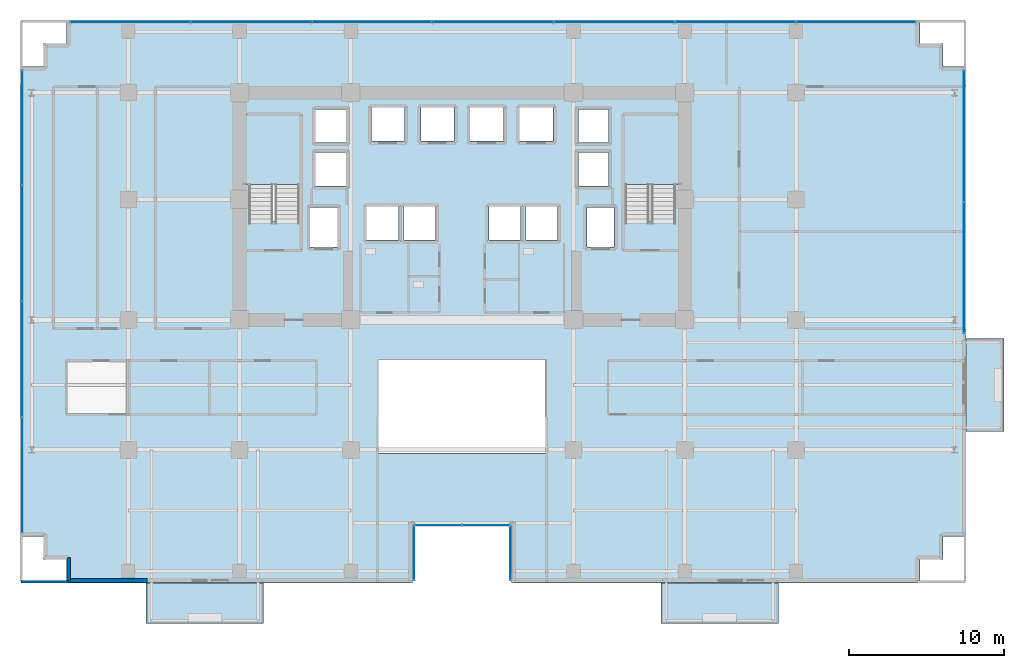
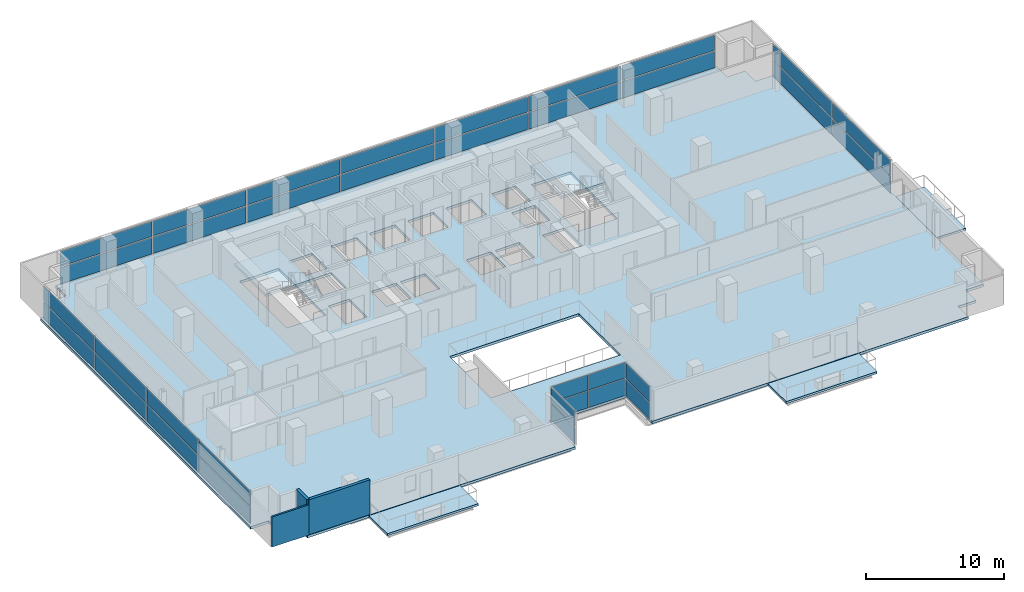
# One storey, part 18 of 26: 34 plates, 6 slabs, 3 walls, 8 elements without a shape of their own.
"""IFC4 building model written with IfcOpenShell, lengths in metres."""

from ifc_helpers import new_model, si_unit, direction, frame, frame_2d, origin, origin_2d, place, context, subcontext, project, spatial, polyline, rectangle, outline, extrude, source, transform, mapped, material, layer, layer_set, type_object, element, aggregate, save


model = new_model("IFC4")

# Units and contexts
model_context = context("Model", 3, precision=1e-05, world=origin(), true_north=direction((0.0, 1.0)))
body_context = subcontext(model_context, "Body", "Model", "MODEL_VIEW")
ifc_project = project(units=[si_unit("LENGTHUNIT", "METRE"), si_unit("AREAUNIT", "SQUARE_METRE"), si_unit("VOLUMEUNIT", "CUBIC_METRE"), si_unit("PLANEANGLEUNIT", "RADIAN"), si_unit("MASSUNIT", "GRAM", prefix="KILO")], contexts=[model_context])

# Site, building, storey
site_placement = place(None, origin())
site = spatial("IfcSite", under=ifc_project, at=site_placement, CompositionType="ELEMENT")
building_placement = place(site_placement, origin())
building = spatial("IfcBuilding", under=site, at=building_placement, Name="Zarnakvel Exchange Tower", CompositionType="ELEMENT")
storey_placement = place(building_placement, frame((0.0, 0.0, 70.300048828125)))
storey = spatial("IfcBuildingStorey", under=building, at=storey_placement, Name="L19", CompositionType="ELEMENT", Elevation=70.300048828125)

# Stair, slab
ifc_material_1 = material(Name="Concrete C40/50", Category="concrete")
stair_type = type_object("IfcStairType", Name="STR-01", PredefinedType="HALF_TURN_STAIR", material=ifc_material_1)
stair_1_placement = place(storey_placement, origin())
stair_1 = element("IfcStair", 1, at=stair_1_placement, inside=storey, type_object=stair_type, Name="L19 Protected Core Exit Stair ST-01", PredefinedType="HALF_TURN_STAIR")
ifc_layer_1 = layer(ifc_material_1, 0.199951171875)
ifc_layer_set_1 = layer_set([ifc_layer_1], Name="Concrete C40/50")
slab_type_1 = type_object("IfcSlabType", Name="LDG-01", PredefinedType="LANDING", material=ifc_layer_set_1)
slab_1_placement = place(storey_placement, frame((0.0, 0.0, 1.449951171875)))
slab_1 = element("IfcSlab", 2, at=slab_1_placement, type_object=slab_type_1, Name="ST-01 landing 1", PredefinedType="LANDING", context=body_context, shape_type="SweptSolid", body=[
    extrude(outline(polyline([(-14.18994140625, 7.570068359375), (-10.4599609375, 7.570068359375), (-10.4599609375, 12.080078125), (-14.18994140625, 12.080078125), (-14.18994140625, 7.570068359375)])), origin(), (0.0, 0.0, 1.0), 0.199951171875),
])
aggregate(stair_1, [slab_1])

stair_2_placement = place(storey_placement, origin())
stair_2 = element("IfcStair", 3, at=stair_2_placement, inside=storey, type_object=stair_type, Name="L19 Protected Core Exit Stair ST-02", PredefinedType="HALF_TURN_STAIR")
slab_2_placement = place(storey_placement, frame((0.0, 0.0, 1.449951171875)))
slab_2 = element("IfcSlab", 4, at=slab_2_placement, type_object=slab_type_1, Name="ST-02 landing 1", PredefinedType="LANDING", context=body_context, shape_type="SweptSolid", body=[
    extrude(outline(polyline([(10.4599609375, 7.570068359375), (14.18994140625, 7.570068359375), (14.18994140625, 12.080078125), (10.4599609375, 12.080078125), (10.4599609375, 7.570068359375)])), origin(), (0.0, 0.0, 1.0), 0.199951171875),
])
aggregate(stair_2, [slab_2])

# Slabs
ifc_layer_2 = layer(ifc_material_1, 0.22509765625)
ifc_layer_set_2 = layer_set([ifc_layer_2], Name="Concrete C40/50")
slab_type_2 = type_object("IfcSlabType", Name="SL-04", PredefinedType="FLOOR", material=ifc_layer_set_2)
slab_3_placement = place(storey_placement, frame((0.0, 0.0, -0.22509765625)))
element("IfcSlab", 5, at=slab_3_placement, inside=storey, type_object=slab_type_2, Name="L19 Primary Structural Floor Slab", PredefinedType="FLOOR", context=body_context, shape_type="SweptSolid", body=[
    extrude(outline(polyline([(-28.60009765625, -15.199951171875), (-27.10009765625, -15.199951171875), (-27.10009765625, -16.699951171875), (-25.60009765625, -16.699951171875), (-25.60009765625, -18.199951171875), (-3.199951171875, -18.199951171875), (-3.199951171875, -14.39990234375), (3.199951171875, -14.39990234375), (3.199951171875, -18.199951171875), (29.60009765625, -18.199951171875), (29.60009765625, -16.699951171875), (31.10009765625, -16.699951171875), (31.10009765625, -15.199951171875), (32.60009765625, -15.199951171875), (32.60009765625, 15.199951171875), (31.10009765625, 15.199951171875), (31.10009765625, 16.699951171875), (29.60009765625, 16.699951171875), (29.60009765625, 18.199951171875), (-25.60009765625, 18.199951171875), (-25.60009765625, 16.699951171875), (-27.10009765625, 16.699951171875), (-27.10009765625, 15.199951171875), (-28.60009765625, 15.199951171875), (-28.60009765625, -15.199951171875)]), holes=[polyline([(-5.39990234375, -9.800048828125), (5.39990234375, -9.800048828125), (5.39990234375, -3.800048828125), (-5.39990234375, -3.800048828125), (-5.39990234375, -9.800048828125)]), polyline([(-13.800048828125, 5.2099609375), (-10.5400390625, 5.2099609375), (-10.5400390625, 12.0), (-13.800048828125, 12.0), (-13.800048828125, 5.2099609375)]), polyline([(10.5400390625, 5.2099609375), (13.800048828125, 5.2099609375), (13.800048828125, 12.0), (10.5400390625, 12.0), (10.5400390625, 5.2099609375)]), polyline([(-9.830078125, 3.52001953125), (-8.070068359375, 3.52001953125), (-8.070068359375, 6.080078125), (-9.830078125, 6.080078125), (-9.830078125, 3.52001953125)]), polyline([(8.070068359375, 3.52001953125), (9.830078125, 3.52001953125), (9.830078125, 6.080078125), (8.070068359375, 6.080078125), (8.070068359375, 3.52001953125)]), polyline([(-5.8798828125, 10.3701171875), (-3.719970703125, 10.3701171875), (-3.719970703125, 12.530029296875), (-5.8798828125, 12.530029296875), (-5.8798828125, 10.3701171875)]), polyline([(-2.679931640625, 10.3701171875), (-0.52001953125, 10.3701171875), (-0.52001953125, 12.530029296875), (-2.679931640625, 12.530029296875), (-2.679931640625, 10.3701171875)]), polyline([(0.52001953125, 10.3701171875), (2.679931640625, 10.3701171875), (2.679931640625, 12.530029296875), (0.52001953125, 12.530029296875), (0.52001953125, 10.3701171875)]), polyline([(3.719970703125, 10.3701171875), (5.8798828125, 10.3701171875), (5.8798828125, 12.530029296875), (3.719970703125, 12.530029296875), (3.719970703125, 10.3701171875)]), polyline([(-6.179931640625, 3.969970703125), (-4.1201171875, 3.969970703125), (-4.1201171875, 6.1298828125), (-6.179931640625, 6.1298828125), (-6.179931640625, 3.969970703125)]), polyline([(-3.780029296875, 3.969970703125), (-1.719970703125, 3.969970703125), (-1.719970703125, 6.1298828125), (-3.780029296875, 6.1298828125), (-3.780029296875, 3.969970703125)]), polyline([(1.719970703125, 3.969970703125), (3.780029296875, 3.969970703125), (3.780029296875, 6.1298828125), (1.719970703125, 6.1298828125), (1.719970703125, 3.969970703125)]), polyline([(4.1201171875, 3.969970703125), (6.179931640625, 3.969970703125), (6.179931640625, 6.1298828125), (4.1201171875, 6.1298828125), (4.1201171875, 3.969970703125)]), polyline([(-9.47998046875, 7.469970703125), (-7.52001953125, 7.469970703125), (-7.52001953125, 9.6298828125), (-9.47998046875, 9.6298828125), (-9.47998046875, 7.469970703125)]), polyline([(-9.47998046875, 10.27001953125), (-7.52001953125, 10.27001953125), (-7.52001953125, 12.429931640625), (-9.47998046875, 12.429931640625), (-9.47998046875, 10.27001953125)]), polyline([(7.52001953125, 7.469970703125), (9.47998046875, 7.469970703125), (9.47998046875, 9.6298828125), (7.52001953125, 9.6298828125), (7.52001953125, 7.469970703125)]), polyline([(7.52001953125, 10.27001953125), (9.47998046875, 10.27001953125), (9.47998046875, 12.429931640625), (7.52001953125, 12.429931640625), (7.52001953125, 10.27001953125)])]), origin(), (0.0, 0.0, 1.0), 0.22509765625),
])
ifc_layer_3 = layer(ifc_material_1, 0.18994140625)
ifc_layer_set_3 = layer_set([ifc_layer_3], Name="Concrete C40/50")
slab_type_3 = type_object("IfcSlabType", Name="SL-08", PredefinedType="USERDEFINED", material=ifc_layer_set_3)
slab_4_placement = place(storey_placement, frame((0.0, 0.0, -0.22509765625)))
element("IfcSlab", 6, at=slab_4_placement, inside=storey, type_object=slab_type_3, Name="L19 Planted Loggia Balcony Slab BAL-L19-SW", ObjectType="BALCONY", PredefinedType="USERDEFINED", context=body_context, shape_type="SweptSolid", body=[
    extrude(outline(polyline([(-20.449951171875, -20.85009765625), (-12.85009765625, -20.85009765625), (-12.85009765625, -18.199951171875), (-20.449951171875, -18.199951171875), (-20.449951171875, -20.85009765625)])), origin(), (0.0, 0.0, 1.0), 0.18994140625),
])
slab_5_placement = place(storey_placement, frame((0.0, 0.0, -0.22509765625)))
element("IfcSlab", 7, at=slab_5_placement, inside=storey, type_object=slab_type_3, Name="L19 Planted Loggia Balcony Slab BAL-L19-SE", ObjectType="BALCONY", PredefinedType="USERDEFINED", context=body_context, shape_type="SweptSolid", body=[
    extrude(outline(polyline([(12.85009765625, -20.85009765625), (20.449951171875, -20.85009765625), (20.449951171875, -18.199951171875), (12.85009765625, -18.199951171875), (12.85009765625, -20.85009765625)])), origin(), (0.0, 0.0, 1.0), 0.18994140625),
])
slab_6_placement = place(storey_placement, frame((0.0, 0.0, -0.22509765625)))
element("IfcSlab", 8, at=slab_6_placement, inside=storey, type_object=slab_type_3, Name="L19 Planted Loggia Balcony Slab BAL-L19-E", ObjectType="BALCONY", PredefinedType="USERDEFINED", context=body_context, shape_type="SweptSolid", body=[
    extrude(outline(polyline([(32.60009765625, -8.39990234375), (35.050048828125, -8.39990234375), (35.050048828125, -2.39990234375), (32.60009765625, -2.39990234375), (32.60009765625, -8.39990234375)])), origin(), (0.0, 0.0, 1.0), 0.18994140625),
])

# Curtain wall, plate
ifc_material_2 = material(Name="Architectural Bronze Anodised Aluminium", Category="aluminium")
ifc_layer_4 = layer(ifc_material_2, 0.179931640625)
ifc_layer_set_4 = layer_set([ifc_layer_4], Name="Architectural Bronze Anodised Aluminium")
curtain_wall_type_1 = type_object("IfcCurtainWallType", Name="CW-05", PredefinedType="NOTDEFINED", material=ifc_layer_set_4)
curtain_wall_1_placement = place(storey_placement, origin())
curtain_wall_1 = element("IfcCurtainWall", 9, at=curtain_wall_1_placement, inside=storey, type_object=curtain_wall_type_1, Name="L19 Curtain Wall CW-L19-SLW (CW-05)", PredefinedType="NOTDEFINED")
ifc_material_3 = material(Name="Double Low-E Laminated Vision Glass", Category="glass")
ifc_layer_5 = layer(ifc_material_3, 0.02587890625)
ifc_layer_set_5 = layer_set([ifc_layer_5], Name="Double Low-E Laminated Vision Glass")
plate_type_1 = type_object("IfcPlateType", Name="CWP-05", PredefinedType="CURTAIN_PANEL", material=ifc_layer_set_5)
shared_shape_1 = source(origin(), body_context, "Body", "SweptSolid", [
    extrude(rectangle(XDim=3.4599609375, YDim=0.02587890625, at=origin_2d()), origin(), (0.0, 0.0, 1.0), 1.483642578125),
])
plate_1_placement = place(storey_placement, frame((-3.1201171875, -16.280029296875, 0.06982421875), z_axis=(0.0, 0.0, 1.0), x_axis=(0.0, 1.0, 0.0)))
plate_1 = element("IfcPlate", 10, at=plate_1_placement, type_object=plate_type_1, Name="CW-05 panel 1.1", PredefinedType="CURTAIN_PANEL", context=body_context, shape_type="MappedRepresentation", body=[
    mapped(shared_shape_1, transform((0.0, 0.0, 0.0), x_axis=(1.0, 0.0, 0.0), y_axis=(0.0, 1.0, 0.0), z_axis=(0.0, 0.0, 1.0), scale=1.0)),
])

curtain_wall_2_placement = place(storey_placement, origin())
curtain_wall_2 = element("IfcCurtainWall", 11, at=curtain_wall_2_placement, inside=storey, type_object=curtain_wall_type_1, Name="L19 Curtain Wall CW-L19-SLE (CW-05)", PredefinedType="NOTDEFINED")
plate_2_placement = place(storey_placement, frame((3.1201171875, -16.280029296875, 0.06982421875), z_axis=(0.0, 0.0, 1.0), x_axis=(0.0, -1.0, 0.0)))
plate_2 = element("IfcPlate", 12, at=plate_2_placement, type_object=plate_type_1, Name="CW-05 panel 1.1", PredefinedType="CURTAIN_PANEL", context=body_context, shape_type="MappedRepresentation", body=[
    mapped(shared_shape_1, transform((0.0, 0.0, 0.0), x_axis=(1.0, 0.0, 0.0), y_axis=(0.0, 1.0, 0.0), z_axis=(0.0, 0.0, 1.0), scale=1.0)),
])

# Plate
shared_shape_2 = source(origin(), body_context, "Body", "SweptSolid", [
    extrude(rectangle(XDim=3.4599609375, YDim=0.02587890625, at=origin_2d()), origin(), (0.0, 0.0, 1.0), 1.361328125),
])
plate_3_placement = place(storey_placement, frame((-3.1201171875, -16.280029296875, 1.62353515625), z_axis=(0.0, 0.0, 1.0), x_axis=(0.0, 1.0, 0.0)))
plate_3 = element("IfcPlate", 13, at=plate_3_placement, type_object=plate_type_1, Name="CW-05 panel 1.2", PredefinedType="CURTAIN_PANEL", context=body_context, shape_type="MappedRepresentation", body=[
    mapped(shared_shape_2, transform((0.0, 0.0, 0.0), x_axis=(1.0, 0.0, 0.0), y_axis=(0.0, 1.0, 0.0), z_axis=(0.0, 0.0, 1.0), scale=1.0)),
])

aggregate(curtain_wall_1, [plate_1, plate_3])

plate_4_placement = place(storey_placement, frame((3.1201171875, -16.280029296875, 1.62353515625), z_axis=(0.0, 0.0, 1.0), x_axis=(0.0, -1.0, 0.0)))
plate_4 = element("IfcPlate", 14, at=plate_4_placement, type_object=plate_type_1, Name="CW-05 panel 1.2", PredefinedType="CURTAIN_PANEL", context=body_context, shape_type="MappedRepresentation", body=[
    mapped(shared_shape_2, transform((0.0, 0.0, 0.0), x_axis=(1.0, 0.0, 0.0), y_axis=(0.0, 1.0, 0.0), z_axis=(0.0, 0.0, 1.0), scale=1.0)),
])

aggregate(curtain_wall_2, [plate_2, plate_4])

# Curtain wall, plates
curtain_wall_3_placement = place(storey_placement, origin())
curtain_wall_3 = element("IfcCurtainWall", 15, at=curtain_wall_3_placement, inside=storey, type_object=curtain_wall_type_1, Name="L19 Curtain Wall CW-L19-SLB (CW-05)", PredefinedType="NOTDEFINED")
shared_shape_3 = source(origin(), body_context, "Body", "SweptSolid", [
    extrude(rectangle(XDim=3.014892578125, YDim=0.02587890625, at=origin_2d()), origin(), (0.0, 0.0, 1.0), 1.483642578125),
])
plate_5_placement = place(storey_placement, frame((-1.54248046875, -14.47998046875, 0.06982421875), z_axis=(0.0, 0.0, 1.0), x_axis=(1.0, 0.0, 0.0)))
plate_5 = element("IfcPlate", 16, at=plate_5_placement, type_object=plate_type_1, Name="CW-05 panel 1.1", PredefinedType="CURTAIN_PANEL", context=body_context, shape_type="MappedRepresentation", body=[
    mapped(shared_shape_3, transform((0.0, 0.0, 0.0), x_axis=(1.0, 0.0, 0.0), y_axis=(0.0, 1.0, 0.0), z_axis=(0.0, 0.0, 1.0), scale=1.0)),
])
plate_6_placement = place(storey_placement, frame((1.54248046875, -14.47998046875, 0.06982421875), z_axis=(0.0, 0.0, 1.0), x_axis=(1.0, 0.0, 0.0)))
plate_6 = element("IfcPlate", 17, at=plate_6_placement, type_object=plate_type_1, Name="CW-05 panel 2.1", PredefinedType="CURTAIN_PANEL", context=body_context, shape_type="MappedRepresentation", body=[
    mapped(shared_shape_3, transform((0.0, 0.0, 0.0), x_axis=(1.0, 0.0, 0.0), y_axis=(0.0, 1.0, 0.0), z_axis=(0.0, 0.0, 1.0), scale=1.0)),
])
shared_shape_4 = source(origin(), body_context, "Body", "SweptSolid", [
    extrude(rectangle(XDim=3.014892578125, YDim=0.02587890625, at=origin_2d()), origin(), (0.0, 0.0, 1.0), 1.361328125),
])
plate_7_placement = place(storey_placement, frame((-1.54248046875, -14.47998046875, 1.62353515625), z_axis=(0.0, 0.0, 1.0), x_axis=(1.0, 0.0, 0.0)))
plate_7 = element("IfcPlate", 18, at=plate_7_placement, type_object=plate_type_1, Name="CW-05 panel 1.2", PredefinedType="CURTAIN_PANEL", context=body_context, shape_type="MappedRepresentation", body=[
    mapped(shared_shape_4, transform((0.0, 0.0, 0.0), x_axis=(1.0, 0.0, 0.0), y_axis=(0.0, 1.0, 0.0), z_axis=(0.0, 0.0, 1.0), scale=1.0)),
])
plate_8_placement = place(storey_placement, frame((1.54248046875, -14.47998046875, 1.62353515625), z_axis=(0.0, 0.0, 1.0), x_axis=(1.0, 0.0, 0.0)))
plate_8 = element("IfcPlate", 19, at=plate_8_placement, type_object=plate_type_1, Name="CW-05 panel 2.2", PredefinedType="CURTAIN_PANEL", context=body_context, shape_type="MappedRepresentation", body=[
    mapped(shared_shape_4, transform((0.0, 0.0, 0.0), x_axis=(1.0, 0.0, 0.0), y_axis=(0.0, 1.0, 0.0), z_axis=(0.0, 0.0, 1.0), scale=1.0)),
])
aggregate(curtain_wall_3, [plate_5, plate_7, plate_6, plate_8])

ifc_layer_6 = layer(ifc_material_2, 0.239990234375)
ifc_layer_set_6 = layer_set([ifc_layer_6], Name="Architectural Bronze Anodised Aluminium")
curtain_wall_type_2 = type_object("IfcCurtainWallType", Name="CW-02", PredefinedType="NOTDEFINED", material=ifc_layer_set_6)
curtain_wall_4_placement = place(storey_placement, origin())
curtain_wall_4 = element("IfcCurtainWall", 20, at=curtain_wall_4_placement, inside=storey, type_object=curtain_wall_type_2, Name="L19 Curtain Wall CW-L19-N1 (CW-02)", PredefinedType="NOTDEFINED")
ifc_layer_7 = layer(ifc_material_3, 0.031982421875)
ifc_layer_set_7 = layer_set([ifc_layer_7], Name="Double Low-E Laminated Vision Glass")
plate_type_2 = type_object("IfcPlateType", Name="CWP-02", PredefinedType="CURTAIN_PANEL", material=ifc_layer_set_7)
shared_shape_5 = source(origin(), body_context, "Body", "SweptSolid", [
    extrude(rectangle(XDim=7.693603515625, YDim=0.031982421875, at=origin_2d()), origin(), (0.0, 0.0, 1.0), 1.461181640625),
])
plate_9_placement = place(storey_placement, frame((-21.463134765625, 18.06005859375, 0.0849609375), z_axis=(0.0, 0.0, 1.0), x_axis=(1.0, 0.0, 0.0)))
plate_9 = element("IfcPlate", 21, at=plate_9_placement, type_object=plate_type_2, Name="CW-02 panel 1.1", PredefinedType="CURTAIN_PANEL", context=body_context, shape_type="MappedRepresentation", body=[
    mapped(shared_shape_5, transform((0.0, 0.0, 0.0), x_axis=(1.0, 0.0, 0.0), y_axis=(0.0, 1.0, 0.0), z_axis=(0.0, 0.0, 1.0), scale=1.0)),
])
plate_10_placement = place(storey_placement, frame((25.463134765625, 18.06005859375, 0.0849609375), z_axis=(0.0, 0.0, 1.0), x_axis=(1.0, 0.0, 0.0)))
plate_10 = element("IfcPlate", 22, at=plate_10_placement, type_object=plate_type_2, Name="CW-02 panel 7.1", PredefinedType="CURTAIN_PANEL", context=body_context, shape_type="MappedRepresentation", body=[
    mapped(shared_shape_5, transform((0.0, 0.0, 0.0), x_axis=(1.0, 0.0, 0.0), y_axis=(0.0, 1.0, 0.0), z_axis=(0.0, 0.0, 1.0), scale=1.0)),
])
shared_shape_6 = source(origin(), body_context, "Body", "SweptSolid", [
    extrude(rectangle(XDim=7.693603515625, YDim=0.031982421875, at=origin_2d()), origin(), (0.0, 0.0, 1.0), 1.3388671875),
])
plate_11_placement = place(storey_placement, frame((-21.463134765625, 18.06005859375, 1.631103515625), z_axis=(0.0, 0.0, 1.0), x_axis=(1.0, 0.0, 0.0)))
plate_11 = element("IfcPlate", 23, at=plate_11_placement, type_object=plate_type_2, Name="CW-02 panel 1.2", PredefinedType="CURTAIN_PANEL", context=body_context, shape_type="MappedRepresentation", body=[
    mapped(shared_shape_6, transform((0.0, 0.0, 0.0), x_axis=(1.0, 0.0, 0.0), y_axis=(0.0, 1.0, 0.0), z_axis=(0.0, 0.0, 1.0), scale=1.0)),
])
plate_12_placement = place(storey_placement, frame((25.463134765625, 18.06005859375, 1.631103515625), z_axis=(0.0, 0.0, 1.0), x_axis=(1.0, 0.0, 0.0)))
plate_12 = element("IfcPlate", 24, at=plate_12_placement, type_object=plate_type_2, Name="CW-02 panel 7.2", PredefinedType="CURTAIN_PANEL", context=body_context, shape_type="MappedRepresentation", body=[
    mapped(shared_shape_6, transform((0.0, 0.0, 0.0), x_axis=(1.0, 0.0, 0.0), y_axis=(0.0, 1.0, 0.0), z_axis=(0.0, 0.0, 1.0), scale=1.0)),
])
shared_shape_7 = source(origin(), body_context, "Body", "SweptSolid", [
    extrude(rectangle(XDim=7.738525390625, YDim=0.031982421875, at=origin_2d()), origin(), (0.0, 0.0, 1.0), 1.461181640625),
])
plate_13_placement = place(storey_placement, frame((-13.6572265625, 18.06005859375, 0.0849609375), z_axis=(0.0, 0.0, 1.0), x_axis=(1.0, 0.0, 0.0)))
plate_13 = element("IfcPlate", 25, at=plate_13_placement, type_object=plate_type_2, Name="CW-02 panel 2.1", PredefinedType="CURTAIN_PANEL", context=body_context, shape_type="MappedRepresentation", body=[
    mapped(shared_shape_7, transform((0.0, 0.0, 0.0), x_axis=(1.0, 0.0, 0.0), y_axis=(0.0, 1.0, 0.0), z_axis=(0.0, 0.0, 1.0), scale=1.0)),
])
plate_14_placement = place(storey_placement, frame((-5.82861328125, 18.06005859375, 0.0849609375), z_axis=(0.0, 0.0, 1.0), x_axis=(1.0, 0.0, 0.0)))
plate_14 = element("IfcPlate", 26, at=plate_14_placement, type_object=plate_type_2, Name="CW-02 panel 3.1", PredefinedType="CURTAIN_PANEL", context=body_context, shape_type="MappedRepresentation", body=[
    mapped(shared_shape_7, transform((0.0, 0.0, 0.0), x_axis=(1.0, 0.0, 0.0), y_axis=(0.0, 1.0, 0.0), z_axis=(0.0, 0.0, 1.0), scale=1.0)),
])
plate_15_placement = place(storey_placement, frame((2.0, 18.06005859375, 0.0849609375), z_axis=(0.0, 0.0, 1.0), x_axis=(1.0, 0.0, 0.0)))
plate_15 = element("IfcPlate", 27, at=plate_15_placement, type_object=plate_type_2, Name="CW-02 panel 4.1", PredefinedType="CURTAIN_PANEL", context=body_context, shape_type="MappedRepresentation", body=[
    mapped(shared_shape_7, transform((0.0, 0.0, 0.0), x_axis=(1.0, 0.0, 0.0), y_axis=(0.0, 1.0, 0.0), z_axis=(0.0, 0.0, 1.0), scale=1.0)),
])
plate_16_placement = place(storey_placement, frame((9.82861328125, 18.06005859375, 0.0849609375), z_axis=(0.0, 0.0, 1.0), x_axis=(1.0, 0.0, 0.0)))
plate_16 = element("IfcPlate", 28, at=plate_16_placement, type_object=plate_type_2, Name="CW-02 panel 5.1", PredefinedType="CURTAIN_PANEL", context=body_context, shape_type="MappedRepresentation", body=[
    mapped(shared_shape_7, transform((0.0, 0.0, 0.0), x_axis=(1.0, 0.0, 0.0), y_axis=(0.0, 1.0, 0.0), z_axis=(0.0, 0.0, 1.0), scale=1.0)),
])
plate_17_placement = place(storey_placement, frame((17.6572265625, 18.06005859375, 0.0849609375), z_axis=(0.0, 0.0, 1.0), x_axis=(1.0, 0.0, 0.0)))
plate_17 = element("IfcPlate", 29, at=plate_17_placement, type_object=plate_type_2, Name="CW-02 panel 6.1", PredefinedType="CURTAIN_PANEL", context=body_context, shape_type="MappedRepresentation", body=[
    mapped(shared_shape_7, transform((0.0, 0.0, 0.0), x_axis=(1.0, 0.0, 0.0), y_axis=(0.0, 1.0, 0.0), z_axis=(0.0, 0.0, 1.0), scale=1.0)),
])
shared_shape_8 = source(origin(), body_context, "Body", "SweptSolid", [
    extrude(rectangle(XDim=7.738525390625, YDim=0.031982421875, at=origin_2d()), origin(), (0.0, 0.0, 1.0), 1.3388671875),
])
plate_18_placement = place(storey_placement, frame((-13.6572265625, 18.06005859375, 1.631103515625), z_axis=(0.0, 0.0, 1.0), x_axis=(1.0, 0.0, 0.0)))
plate_18 = element("IfcPlate", 30, at=plate_18_placement, type_object=plate_type_2, Name="CW-02 panel 2.2", PredefinedType="CURTAIN_PANEL", context=body_context, shape_type="MappedRepresentation", body=[
    mapped(shared_shape_8, transform((0.0, 0.0, 0.0), x_axis=(1.0, 0.0, 0.0), y_axis=(0.0, 1.0, 0.0), z_axis=(0.0, 0.0, 1.0), scale=1.0)),
])
plate_19_placement = place(storey_placement, frame((-5.82861328125, 18.06005859375, 1.631103515625), z_axis=(0.0, 0.0, 1.0), x_axis=(1.0, 0.0, 0.0)))
plate_19 = element("IfcPlate", 31, at=plate_19_placement, type_object=plate_type_2, Name="CW-02 panel 3.2", PredefinedType="CURTAIN_PANEL", context=body_context, shape_type="MappedRepresentation", body=[
    mapped(shared_shape_8, transform((0.0, 0.0, 0.0), x_axis=(1.0, 0.0, 0.0), y_axis=(0.0, 1.0, 0.0), z_axis=(0.0, 0.0, 1.0), scale=1.0)),
])
plate_20_placement = place(storey_placement, frame((2.0, 18.06005859375, 1.631103515625), z_axis=(0.0, 0.0, 1.0), x_axis=(1.0, 0.0, 0.0)))
plate_20 = element("IfcPlate", 32, at=plate_20_placement, type_object=plate_type_2, Name="CW-02 panel 4.2", PredefinedType="CURTAIN_PANEL", context=body_context, shape_type="MappedRepresentation", body=[
    mapped(shared_shape_8, transform((0.0, 0.0, 0.0), x_axis=(1.0, 0.0, 0.0), y_axis=(0.0, 1.0, 0.0), z_axis=(0.0, 0.0, 1.0), scale=1.0)),
])
plate_21_placement = place(storey_placement, frame((9.82861328125, 18.06005859375, 1.631103515625), z_axis=(0.0, 0.0, 1.0), x_axis=(1.0, 0.0, 0.0)))
plate_21 = element("IfcPlate", 33, at=plate_21_placement, type_object=plate_type_2, Name="CW-02 panel 5.2", PredefinedType="CURTAIN_PANEL", context=body_context, shape_type="MappedRepresentation", body=[
    mapped(shared_shape_8, transform((0.0, 0.0, 0.0), x_axis=(1.0, 0.0, 0.0), y_axis=(0.0, 1.0, 0.0), z_axis=(0.0, 0.0, 1.0), scale=1.0)),
])
plate_22_placement = place(storey_placement, frame((17.6572265625, 18.06005859375, 1.631103515625), z_axis=(0.0, 0.0, 1.0), x_axis=(1.0, 0.0, 0.0)))
plate_22 = element("IfcPlate", 34, at=plate_22_placement, type_object=plate_type_2, Name="CW-02 panel 6.2", PredefinedType="CURTAIN_PANEL", context=body_context, shape_type="MappedRepresentation", body=[
    mapped(shared_shape_8, transform((0.0, 0.0, 0.0), x_axis=(1.0, 0.0, 0.0), y_axis=(0.0, 1.0, 0.0), z_axis=(0.0, 0.0, 1.0), scale=1.0)),
])
aggregate(curtain_wall_4, [plate_9, plate_11, plate_13, plate_18, plate_14, plate_19, plate_15, plate_20, plate_16, plate_21, plate_17, plate_22, plate_10, plate_12])

ifc_layer_8 = layer(ifc_material_2, 0.199951171875)
ifc_layer_set_8 = layer_set([ifc_layer_8], Name="Architectural Bronze Anodised Aluminium")
curtain_wall_type_3 = type_object("IfcCurtainWallType", Name="CW-04", PredefinedType="NOTDEFINED", material=ifc_layer_set_8)
curtain_wall_5_placement = place(storey_placement, origin())
curtain_wall_5 = element("IfcCurtainWall", 35, at=curtain_wall_5_placement, inside=storey, type_object=curtain_wall_type_3, Name="L19 Curtain Wall CW-L19-EN (CW-04)", PredefinedType="NOTDEFINED")
ifc_layer_9 = layer(ifc_material_3, 0.028076171875)
ifc_layer_set_9 = layer_set([ifc_layer_9], Name="Double Low-E Laminated Vision Glass")
plate_type_3 = type_object("IfcPlateType", Name="CWP-04", PredefinedType="CURTAIN_PANEL", material=ifc_layer_set_9)
shared_shape_9 = source(origin(), body_context, "Body", "SweptSolid", [
    extrude(rectangle(XDim=8.4375, YDim=0.028076171875, at=origin_2d()), origin(), (0.0, 0.0, 1.0), 1.47607421875),
])
plate_23_placement = place(storey_placement, frame((32.4599609375, 2.19384765625, 0.074951171875), z_axis=(0.0, 0.0, 1.0), x_axis=(0.0, 1.0, 0.0)))
plate_23 = element("IfcPlate", 36, at=plate_23_placement, type_object=plate_type_3, Name="CW-04 panel 1.1", PredefinedType="CURTAIN_PANEL", context=body_context, shape_type="MappedRepresentation", body=[
    mapped(shared_shape_9, transform((0.0, 0.0, 0.0), x_axis=(1.0, 0.0, 0.0), y_axis=(0.0, 1.0, 0.0), z_axis=(0.0, 0.0, 1.0), scale=1.0)),
])
plate_24_placement = place(storey_placement, frame((32.4599609375, 10.706298828125, 0.074951171875), z_axis=(0.0, 0.0, 1.0), x_axis=(0.0, 1.0, 0.0)))
plate_24 = element("IfcPlate", 37, at=plate_24_placement, type_object=plate_type_3, Name="CW-04 panel 2.1", PredefinedType="CURTAIN_PANEL", context=body_context, shape_type="MappedRepresentation", body=[
    mapped(shared_shape_9, transform((0.0, 0.0, 0.0), x_axis=(1.0, 0.0, 0.0), y_axis=(0.0, 1.0, 0.0), z_axis=(0.0, 0.0, 1.0), scale=1.0)),
])
shared_shape_10 = source(origin(), body_context, "Body", "SweptSolid", [
    extrude(rectangle(XDim=8.4375, YDim=0.028076171875, at=origin_2d()), origin(), (0.0, 0.0, 1.0), 1.35400390625),
])
plate_25_placement = place(storey_placement, frame((32.4599609375, 2.19384765625, 1.6259765625), z_axis=(0.0, 0.0, 1.0), x_axis=(0.0, 1.0, 0.0)))
plate_25 = element("IfcPlate", 38, at=plate_25_placement, type_object=plate_type_3, Name="CW-04 panel 1.2", PredefinedType="CURTAIN_PANEL", context=body_context, shape_type="MappedRepresentation", body=[
    mapped(shared_shape_10, transform((0.0, 0.0, 0.0), x_axis=(1.0, 0.0, 0.0), y_axis=(0.0, 1.0, 0.0), z_axis=(0.0, 0.0, 1.0), scale=1.0)),
])
plate_26_placement = place(storey_placement, frame((32.4599609375, 10.706298828125, 1.6259765625), z_axis=(0.0, 0.0, 1.0), x_axis=(0.0, 1.0, 0.0)))
plate_26 = element("IfcPlate", 39, at=plate_26_placement, type_object=plate_type_3, Name="CW-04 panel 2.2", PredefinedType="CURTAIN_PANEL", context=body_context, shape_type="MappedRepresentation", body=[
    mapped(shared_shape_10, transform((0.0, 0.0, 0.0), x_axis=(1.0, 0.0, 0.0), y_axis=(0.0, 1.0, 0.0), z_axis=(0.0, 0.0, 1.0), scale=1.0)),
])
aggregate(curtain_wall_5, [plate_23, plate_25, plate_24, plate_26])

curtain_wall_6_placement = place(storey_placement, origin())
curtain_wall_6 = element("IfcCurtainWall", 40, at=curtain_wall_6_placement, inside=storey, type_object=curtain_wall_type_3, Name="L19 Curtain Wall CW-L19-W1 (CW-04)", PredefinedType="NOTDEFINED")
shared_shape_11 = source(origin(), body_context, "Body", "SweptSolid", [
    extrude(rectangle(XDim=7.387451171875, YDim=0.028076171875, at=origin_2d()), origin(), (0.0, 0.0, 1.0), 1.47607421875),
])
plate_27_placement = place(storey_placement, frame((-28.4599609375, -11.231201171875, 0.074951171875), z_axis=(0.0, 0.0, 1.0), x_axis=(0.0, 1.0, 0.0)))
plate_27 = element("IfcPlate", 41, at=plate_27_placement, type_object=plate_type_3, Name="CW-04 panel 1.1", PredefinedType="CURTAIN_PANEL", context=body_context, shape_type="MappedRepresentation", body=[
    mapped(shared_shape_11, transform((0.0, 0.0, 0.0), x_axis=(1.0, 0.0, 0.0), y_axis=(0.0, 1.0, 0.0), z_axis=(0.0, 0.0, 1.0), scale=1.0)),
])
plate_28_placement = place(storey_placement, frame((-28.4599609375, 11.231201171875, 0.074951171875), z_axis=(0.0, 0.0, 1.0), x_axis=(0.0, 1.0, 0.0)))
plate_28 = element("IfcPlate", 42, at=plate_28_placement, type_object=plate_type_3, Name="CW-04 panel 4.1", PredefinedType="CURTAIN_PANEL", context=body_context, shape_type="MappedRepresentation", body=[
    mapped(shared_shape_11, transform((0.0, 0.0, 0.0), x_axis=(1.0, 0.0, 0.0), y_axis=(0.0, 1.0, 0.0), z_axis=(0.0, 0.0, 1.0), scale=1.0)),
])
shared_shape_12 = source(origin(), body_context, "Body", "SweptSolid", [
    extrude(rectangle(XDim=7.387451171875, YDim=0.028076171875, at=origin_2d()), origin(), (0.0, 0.0, 1.0), 1.35400390625),
])
plate_29_placement = place(storey_placement, frame((-28.4599609375, -11.231201171875, 1.6259765625), z_axis=(0.0, 0.0, 1.0), x_axis=(0.0, 1.0, 0.0)))
plate_29 = element("IfcPlate", 43, at=plate_29_placement, type_object=plate_type_3, Name="CW-04 panel 1.2", PredefinedType="CURTAIN_PANEL", context=body_context, shape_type="MappedRepresentation", body=[
    mapped(shared_shape_12, transform((0.0, 0.0, 0.0), x_axis=(1.0, 0.0, 0.0), y_axis=(0.0, 1.0, 0.0), z_axis=(0.0, 0.0, 1.0), scale=1.0)),
])
plate_30_placement = place(storey_placement, frame((-28.4599609375, 11.231201171875, 1.6259765625), z_axis=(0.0, 0.0, 1.0), x_axis=(0.0, 1.0, 0.0)))
plate_30 = element("IfcPlate", 44, at=plate_30_placement, type_object=plate_type_3, Name="CW-04 panel 4.2", PredefinedType="CURTAIN_PANEL", context=body_context, shape_type="MappedRepresentation", body=[
    mapped(shared_shape_12, transform((0.0, 0.0, 0.0), x_axis=(1.0, 0.0, 0.0), y_axis=(0.0, 1.0, 0.0), z_axis=(0.0, 0.0, 1.0), scale=1.0)),
])
shared_shape_13 = source(origin(), body_context, "Body", "SweptSolid", [
    extrude(rectangle(XDim=7.425048828125, YDim=0.028076171875, at=origin_2d()), origin(), (0.0, 0.0, 1.0), 1.47607421875),
])
plate_31_placement = place(storey_placement, frame((-28.4599609375, -3.75, 0.074951171875), z_axis=(0.0, 0.0, 1.0), x_axis=(0.0, 1.0, 0.0)))
plate_31 = element("IfcPlate", 45, at=plate_31_placement, type_object=plate_type_3, Name="CW-04 panel 2.1", PredefinedType="CURTAIN_PANEL", context=body_context, shape_type="MappedRepresentation", body=[
    mapped(shared_shape_13, transform((0.0, 0.0, 0.0), x_axis=(1.0, 0.0, 0.0), y_axis=(0.0, 1.0, 0.0), z_axis=(0.0, 0.0, 1.0), scale=1.0)),
])
plate_32_placement = place(storey_placement, frame((-28.4599609375, 3.75, 0.074951171875), z_axis=(0.0, 0.0, 1.0), x_axis=(0.0, 1.0, 0.0)))
plate_32 = element("IfcPlate", 46, at=plate_32_placement, type_object=plate_type_3, Name="CW-04 panel 3.1", PredefinedType="CURTAIN_PANEL", context=body_context, shape_type="MappedRepresentation", body=[
    mapped(shared_shape_13, transform((0.0, 0.0, 0.0), x_axis=(1.0, 0.0, 0.0), y_axis=(0.0, 1.0, 0.0), z_axis=(0.0, 0.0, 1.0), scale=1.0)),
])
shared_shape_14 = source(origin(), body_context, "Body", "SweptSolid", [
    extrude(rectangle(XDim=7.425048828125, YDim=0.028076171875, at=origin_2d()), origin(), (0.0, 0.0, 1.0), 1.35400390625),
])
plate_33_placement = place(storey_placement, frame((-28.4599609375, -3.75, 1.6259765625), z_axis=(0.0, 0.0, 1.0), x_axis=(0.0, 1.0, 0.0)))
plate_33 = element("IfcPlate", 47, at=plate_33_placement, type_object=plate_type_3, Name="CW-04 panel 2.2", PredefinedType="CURTAIN_PANEL", context=body_context, shape_type="MappedRepresentation", body=[
    mapped(shared_shape_14, transform((0.0, 0.0, 0.0), x_axis=(1.0, 0.0, 0.0), y_axis=(0.0, 1.0, 0.0), z_axis=(0.0, 0.0, 1.0), scale=1.0)),
])
plate_34_placement = place(storey_placement, frame((-28.4599609375, 3.75, 1.6259765625), z_axis=(0.0, 0.0, 1.0), x_axis=(0.0, 1.0, 0.0)))
plate_34 = element("IfcPlate", 48, at=plate_34_placement, type_object=plate_type_3, Name="CW-04 panel 3.2", PredefinedType="CURTAIN_PANEL", context=body_context, shape_type="MappedRepresentation", body=[
    mapped(shared_shape_14, transform((0.0, 0.0, 0.0), x_axis=(1.0, 0.0, 0.0), y_axis=(0.0, 1.0, 0.0), z_axis=(0.0, 0.0, 1.0), scale=1.0)),
])
aggregate(curtain_wall_6, [plate_27, plate_29, plate_31, plate_33, plate_32, plate_34, plate_28, plate_30])

# Walls
ifc_material_4 = material(Name="Precast concrete C40/50", Category="concrete")
ifc_layer_10 = layer(ifc_material_4, 0.239990234375)
ifc_layer_set_10 = layer_set([ifc_layer_10], Name="Precast concrete C40/50")
wall_type_1 = type_object("IfcWallType", Name="EW-02", PredefinedType="SOLIDWALL", material=ifc_layer_set_10)
wall_1_placement = place(storey_placement, frame((-25.4599609375, -18.06005859375, 0.0), z_axis=(0.0, 0.0, 1.0), x_axis=(1.0, 0.0, 0.0)))
element("IfcWall", 49, at=wall_1_placement, inside=storey, type_object=wall_type_1, Name="L19 Exterior Precast Spandrel Wall EWC-L19-22 (EW-02)", PredefinedType="SOLIDWALL", context=body_context, shape_type="SweptSolid", body=[
    extrude(rectangle(XDim=5.10986328125, YDim=0.239990234375, at=frame_2d((2.554931640625, 0.0))), origin(), (0.0, 0.0, 1.0), 3.074951171875),
])
wall_2_placement = place(storey_placement, frame((-25.4599609375, -16.56005859375, 0.0), z_axis=(0.0, 0.0, 1.0), x_axis=(0.0, -1.0, 0.0)))
element("IfcWall", 50, at=wall_2_placement, inside=storey, type_object=wall_type_1, Name="L19 Exterior Precast Spandrel Wall EWC-L19-23 (EW-02)", PredefinedType="SOLIDWALL", context=body_context, shape_type="SweptSolid", body=[
    extrude(rectangle(XDim=1.5, YDim=0.239990234375, at=frame_2d((0.75, 0.0))), origin(), (0.0, 0.0, 1.0), 3.074951171875),
])
ifc_material_5 = material(Name="Fire-Rated Gypsum Stud Partition", Category="gypsum")
ifc_layer_11 = layer(ifc_material_5, 0.14990234375)
ifc_layer_set_11 = layer_set([ifc_layer_11], Name="Fire-Rated Gypsum Stud Partition")
wall_type_2 = type_object("IfcWallType", Name="PT-01", PredefinedType="PARTITIONING", material=ifc_layer_set_11)
wall_3_placement = place(storey_placement, frame((-25.4599609375, -18.1298828125, 0.0), z_axis=(0.0, 0.0, 1.0), x_axis=(-1.0, 0.0, 0.0)))
element("IfcWall", 51, at=wall_3_placement, inside=storey, type_object=wall_type_2, Name="L19 Partition Wall PWALL-L19-036 (PT-01)", PredefinedType="PARTITIONING", context=body_context, shape_type="SweptSolid", body=[
    extrude(rectangle(XDim=3.070068359375, YDim=0.14990234375, at=frame_2d((1.53515625, 0.0))), origin(), (0.0, 0.0, 1.0), 2.6650390625),
])

save(model, "model.ifc")
